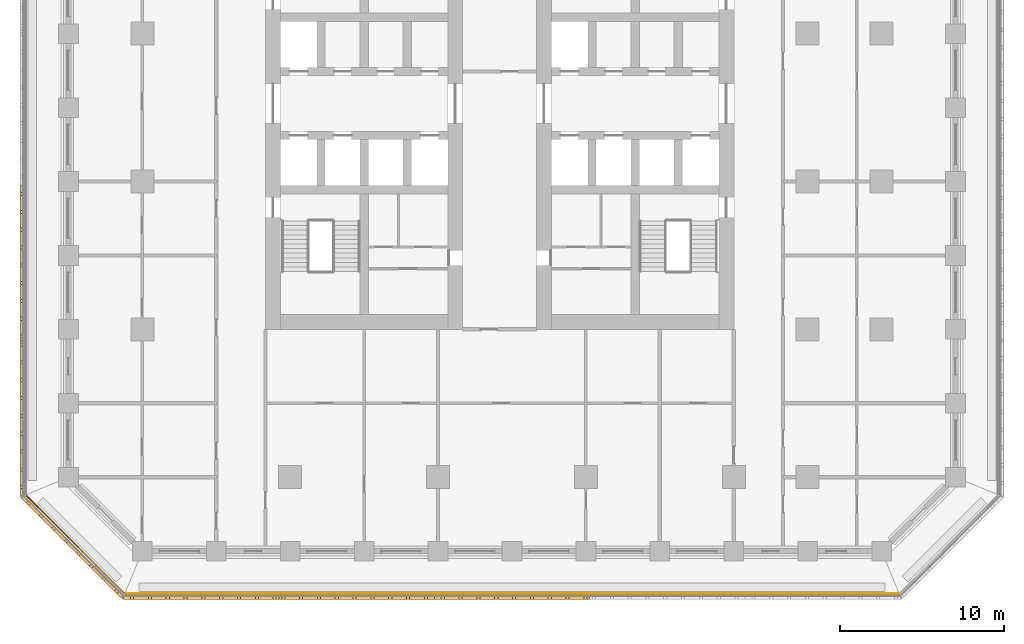
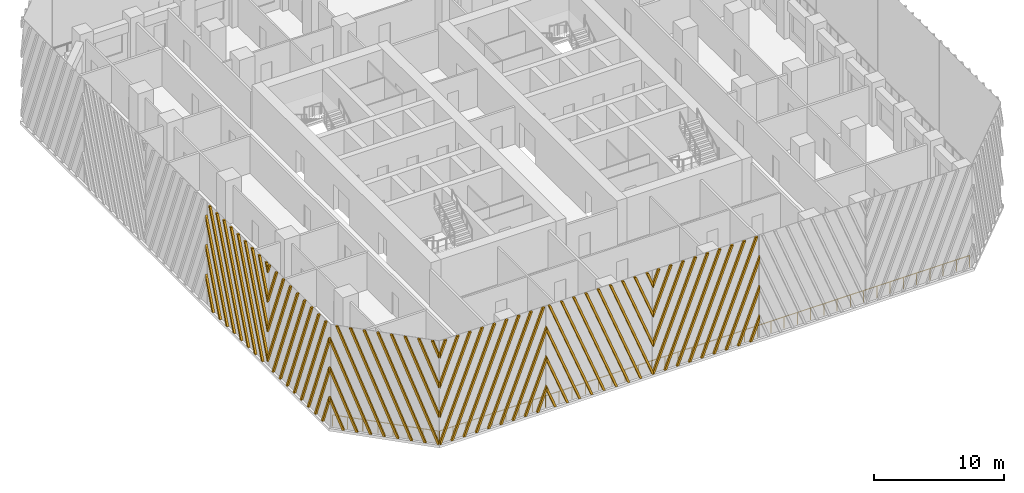
# One storey, part 11 of 20: 6 shading devices, 2 railings.
"""IFC4 building model written with IfcOpenShell, lengths in metres."""

from ifc_helpers import new_model, si_unit, direction, frame, origin, origin_2d, place, context, subcontext, project, spatial, polyline, circle, outline, extrude, source, transform, mapped, material, type_object, element, save


model = new_model("IFC4")

# Units and contexts
model_context = context("Model", 3, precision=1e-05, world=origin(), true_north=direction((0.0, 1.0)))
body_context = subcontext(model_context, "Body", "Model", "MODEL_VIEW")
ifc_project = project(units=[si_unit("LENGTHUNIT", "METRE"), si_unit("AREAUNIT", "SQUARE_METRE"), si_unit("VOLUMEUNIT", "CUBIC_METRE"), si_unit("PLANEANGLEUNIT", "RADIAN"), si_unit("MASSUNIT", "GRAM", prefix="KILO")], contexts=[model_context])

# Site, building, storey
site_placement = place(None, origin())
site = spatial("IfcSite", under=ifc_project, at=site_placement, CompositionType="ELEMENT")
building_placement = place(site_placement, origin())
building = spatial("IfcBuilding", under=site, at=building_placement, Name="Corbel Stack Research Tower", CompositionType="ELEMENT")
storey_placement = place(building_placement, frame((0.0, 0.0, 106.60009765625)))
storey = spatial("IfcBuildingStorey", under=building, at=storey_placement, Name="L24", CompositionType="ELEMENT", Elevation=106.60009765625)

# Railings
ifc_material_1 = material(Name="Powder-coated steel guard", Category="steel")
railing_type = type_object("IfcRailingType", Name="Steel and glass guard 1100", PredefinedType="GUARDRAIL", material=ifc_material_1)
railing_1_placement = place(storey_placement, frame((-19.00537109375, -25.10009765625, 0.0)))
element("IfcRailing", 1, at=railing_1_placement, inside=storey, type_object=railing_type, Name="Loggia guard L24 S", PredefinedType="GUARDRAIL", context=body_context, shape_type="SweptSolid", body=[
    extrude(circle(Radius=0.02392578125, at=origin_2d()), frame((0.0, 0.0, 1.076171875), z_axis=(1.0, 0.0, 0.0), x_axis=(0.0, 1.0, 0.0)), (0.0, 0.0, 1.0), 47.0107421875),
    extrude(circle(Radius=0.02099609375, at=origin_2d()), origin(), (0.0, 0.0, 1.0), 1.052001953125),
    extrude(circle(Radius=0.02099609375, at=origin_2d()), frame((1.17529296875, 0.0, 0.0)), (0.0, 0.0, 1.0), 1.052001953125),
    extrude(circle(Radius=0.02099609375, at=origin_2d()), frame((2.3505859375, 0.0, 0.0)), (0.0, 0.0, 1.0), 1.052001953125),
    extrude(circle(Radius=0.02099609375, at=origin_2d()), frame((3.52587890625, 0.0, 0.0)), (0.0, 0.0, 1.0), 1.052001953125),
    extrude(circle(Radius=0.02099609375, at=origin_2d()), frame((4.701171875, 0.0, 0.0)), (0.0, 0.0, 1.0), 1.052001953125),
    extrude(circle(Radius=0.02099609375, at=origin_2d()), frame((5.87646484375, 0.0, 0.0)), (0.0, 0.0, 1.0), 1.052001953125),
    extrude(circle(Radius=0.02099609375, at=origin_2d()), frame((7.051513671875, 0.0, 0.0)), (0.0, 0.0, 1.0), 1.052001953125),
    extrude(circle(Radius=0.02099609375, at=origin_2d()), frame((8.226806640625, 0.0, 0.0)), (0.0, 0.0, 1.0), 1.052001953125),
    extrude(circle(Radius=0.02099609375, at=origin_2d()), frame((9.402099609375, 0.0, 0.0)), (0.0, 0.0, 1.0), 1.052001953125),
    extrude(circle(Radius=0.02099609375, at=origin_2d()), frame((10.577392578125, 0.0, 0.0)), (0.0, 0.0, 1.0), 1.052001953125),
    extrude(circle(Radius=0.02099609375, at=origin_2d()), frame((11.752685546875, 0.0, 0.0)), (0.0, 0.0, 1.0), 1.052001953125),
    extrude(circle(Radius=0.02099609375, at=origin_2d()), frame((12.927978515625, 0.0, 0.0)), (0.0, 0.0, 1.0), 1.052001953125),
    extrude(circle(Radius=0.02099609375, at=origin_2d()), frame((14.103271484375, 0.0, 0.0)), (0.0, 0.0, 1.0), 1.052001953125),
    extrude(circle(Radius=0.02099609375, at=origin_2d()), frame((15.278564453125, 0.0, 0.0)), (0.0, 0.0, 1.0), 1.052001953125),
    extrude(circle(Radius=0.02099609375, at=origin_2d()), frame((16.453857421875, 0.0, 0.0)), (0.0, 0.0, 1.0), 1.052001953125),
    extrude(circle(Radius=0.02099609375, at=origin_2d()), frame((17.62890625, 0.0, 0.0)), (0.0, 0.0, 1.0), 1.052001953125),
    extrude(circle(Radius=0.02099609375, at=origin_2d()), frame((18.80419921875, 0.0, 0.0)), (0.0, 0.0, 1.0), 1.052001953125),
    extrude(circle(Radius=0.02099609375, at=origin_2d()), frame((19.9794921875, 0.0, 0.0)), (0.0, 0.0, 1.0), 1.052001953125),
    extrude(circle(Radius=0.02099609375, at=origin_2d()), frame((21.15478515625, 0.0, 0.0)), (0.0, 0.0, 1.0), 1.052001953125),
    extrude(circle(Radius=0.02099609375, at=origin_2d()), frame((22.330078125, 0.0, 0.0)), (0.0, 0.0, 1.0), 1.052001953125),
    extrude(circle(Radius=0.02099609375, at=origin_2d()), frame((23.50537109375, 0.0, 0.0)), (0.0, 0.0, 1.0), 1.052001953125),
    extrude(circle(Radius=0.02099609375, at=origin_2d()), frame((24.6806640625, 0.0, 0.0)), (0.0, 0.0, 1.0), 1.052001953125),
    extrude(circle(Radius=0.02099609375, at=origin_2d()), frame((25.85595703125, 0.0, 0.0)), (0.0, 0.0, 1.0), 1.052001953125),
    extrude(circle(Radius=0.02099609375, at=origin_2d()), frame((27.03125, 0.0, 0.0)), (0.0, 0.0, 1.0), 1.052001953125),
    extrude(circle(Radius=0.02099609375, at=origin_2d()), frame((28.20654296875, 0.0, 0.0)), (0.0, 0.0, 1.0), 1.052001953125),
    extrude(circle(Radius=0.02099609375, at=origin_2d()), frame((29.3818359375, 0.0, 0.0)), (0.0, 0.0, 1.0), 1.052001953125),
    extrude(circle(Radius=0.02099609375, at=origin_2d()), frame((30.556884765625, 0.0, 0.0)), (0.0, 0.0, 1.0), 1.052001953125),
    extrude(circle(Radius=0.02099609375, at=origin_2d()), frame((31.732177734375, 0.0, 0.0)), (0.0, 0.0, 1.0), 1.052001953125),
    extrude(circle(Radius=0.02099609375, at=origin_2d()), frame((32.907470703125, 0.0, 0.0)), (0.0, 0.0, 1.0), 1.052001953125),
    extrude(circle(Radius=0.02099609375, at=origin_2d()), frame((34.082763671875, 0.0, 0.0)), (0.0, 0.0, 1.0), 1.052001953125),
    extrude(circle(Radius=0.02099609375, at=origin_2d()), frame((35.258056640625, 0.0, 0.0)), (0.0, 0.0, 1.0), 1.052001953125),
    extrude(circle(Radius=0.02099609375, at=origin_2d()), frame((36.433349609375, 0.0, 0.0)), (0.0, 0.0, 1.0), 1.052001953125),
    extrude(circle(Radius=0.02099609375, at=origin_2d()), frame((37.608642578125, 0.0, 0.0)), (0.0, 0.0, 1.0), 1.052001953125),
    extrude(circle(Radius=0.02099609375, at=origin_2d()), frame((38.783935546875, 0.0, 0.0)), (0.0, 0.0, 1.0), 1.052001953125),
    extrude(circle(Radius=0.02099609375, at=origin_2d()), frame((39.959228515625, 0.0, 0.0)), (0.0, 0.0, 1.0), 1.052001953125),
    extrude(circle(Radius=0.02099609375, at=origin_2d()), frame((41.13427734375, 0.0, 0.0)), (0.0, 0.0, 1.0), 1.052001953125),
    extrude(circle(Radius=0.02099609375, at=origin_2d()), frame((42.3095703125, 0.0, 0.0)), (0.0, 0.0, 1.0), 1.052001953125),
    extrude(circle(Radius=0.02099609375, at=origin_2d()), frame((43.48486328125, 0.0, 0.0)), (0.0, 0.0, 1.0), 1.052001953125),
    extrude(circle(Radius=0.02099609375, at=origin_2d()), frame((44.66015625, 0.0, 0.0)), (0.0, 0.0, 1.0), 1.052001953125),
    extrude(circle(Radius=0.02099609375, at=origin_2d()), frame((45.83544921875, 0.0, 0.0)), (0.0, 0.0, 1.0), 1.052001953125),
    extrude(circle(Radius=0.02099609375, at=origin_2d()), frame((47.0107421875, 0.0, 0.0)), (0.0, 0.0, 1.0), 1.052001953125),
])
railing_2_placement = place(storey_placement, frame((-25.04931640625, -19.127685546875, 0.0)))
element("IfcRailing", 2, at=railing_2_placement, inside=storey, type_object=railing_type, Name="Loggia guard L24 SW", PredefinedType="GUARDRAIL", context=body_context, shape_type="SweptSolid", body=[
    extrude(circle(Radius=0.02392578125, at=origin_2d()), frame((0.0, 0.0, 1.076171875), z_axis=(0.707106781187, -0.707106781187, 0.0), x_axis=(0.707106781187, 0.707106781187, 0.0)), (0.0, 0.0, 1.0), 8.37451171875),
    extrude(circle(Radius=0.02099609375, at=origin_2d()), origin(), (0.0, 0.0, 1.0), 1.052001953125),
    extrude(circle(Radius=0.02099609375, at=origin_2d()), frame((0.845947265625, -0.845947265625, 0.0)), (0.0, 0.0, 1.0), 1.052001953125),
    extrude(circle(Radius=0.02099609375, at=origin_2d()), frame((1.69189453125, -1.69189453125, 0.0)), (0.0, 0.0, 1.0), 1.052001953125),
    extrude(circle(Radius=0.02099609375, at=origin_2d()), frame((2.537841796875, -2.537841796875, 0.0)), (0.0, 0.0, 1.0), 1.052001953125),
    extrude(circle(Radius=0.02099609375, at=origin_2d()), frame((3.3837890625, -3.3837890625, 0.0)), (0.0, 0.0, 1.0), 1.052001953125),
    extrude(circle(Radius=0.02099609375, at=origin_2d()), frame((4.229736328125, -4.229736328125, 0.0)), (0.0, 0.0, 1.0), 1.052001953125),
    extrude(circle(Radius=0.02099609375, at=origin_2d()), frame((5.07568359375, -5.07568359375, 0.0)), (0.0, 0.0, 1.0), 1.052001953125),
    extrude(circle(Radius=0.02099609375, at=origin_2d()), frame((5.921630859375, -5.921630859375, 0.0)), (0.0, 0.0, 1.0), 1.052001953125),
])

# Shading devices
ifc_material_2 = material(Name="Precast terracotta", Category="masonry")
shading_device_type = type_object("IfcShadingDeviceType", Name="Terracotta screen panel", PredefinedType="USERDEFINED", material=ifc_material_2)
shared_shape_1 = source(origin(), body_context, "Body", "SweptSolid", [
    extrude(outline(polyline([(0.60986328125, 9.64990234375), (0.419921875, 9.64990234375), (0.0, 8.5751953125), (0.0, 8.088623046875), (0.60986328125, 9.64990234375)])), frame((0.0, 0.0, 0.0), z_axis=(0.0, -1.0, 0.0), x_axis=(1.0, 0.0, 0.0)), (0.0, 0.0, 1.0), 0.179931640625),
    extrude(outline(polyline([(1.694580078125, 9.64990234375), (1.50439453125, 9.64990234375), (0.0, 5.7978515625), (0.0, 5.311279296875), (1.694580078125, 9.64990234375)])), frame((0.0, 0.0, 0.0), z_axis=(0.0, -1.0, 0.0), x_axis=(1.0, 0.0, 0.0)), (0.0, 0.0, 1.0), 0.179931640625),
    extrude(outline(polyline([(2.779052734375, 9.64990234375), (2.589111328125, 9.64990234375), (0.0, 3.0205078125), (0.0, 2.533935546875), (2.779052734375, 9.64990234375)])), frame((0.0, 0.0, 0.0), z_axis=(0.0, -1.0, 0.0), x_axis=(1.0, 0.0, 0.0)), (0.0, 0.0, 1.0), 0.179931640625),
    extrude(outline(polyline([(0.094970703125, 0.0), (3.86376953125, 9.64990234375), (3.673828125, 9.64990234375), (0.0, 0.2431640625), (0.0, 0.0), (0.094970703125, 0.0)])), frame((0.0, 0.0, 0.0), z_axis=(0.0, -1.0, 0.0), x_axis=(1.0, 0.0, 0.0)), (0.0, 0.0, 1.0), 0.179931640625),
    extrude(outline(polyline([(1.1796875, 0.0), (4.948486328125, 9.64990234375), (4.75830078125, 9.64990234375), (0.98974609375, 0.0), (1.1796875, 0.0)])), frame((0.0, 0.0, 0.0), z_axis=(0.0, -1.0, 0.0), x_axis=(1.0, 0.0, 0.0)), (0.0, 0.0, 1.0), 0.179931640625),
    extrude(outline(polyline([(2.264404296875, 0.0), (6.033203125, 9.64990234375), (5.843017578125, 9.64990234375), (2.07421875, 0.0), (2.264404296875, 0.0)])), frame((0.0, 0.0, 0.0), z_axis=(0.0, -1.0, 0.0), x_axis=(1.0, 0.0, 0.0)), (0.0, 0.0, 1.0), 0.179931640625),
    extrude(outline(polyline([(3.34912109375, 0.0), (7.117919921875, 9.64990234375), (6.927734375, 9.64990234375), (3.158935546875, 0.0), (3.34912109375, 0.0)])), frame((0.0, 0.0, 0.0), z_axis=(0.0, -1.0, 0.0), x_axis=(1.0, 0.0, 0.0)), (0.0, 0.0, 1.0), 0.179931640625),
    extrude(outline(polyline([(4.43359375, 0.0), (8.202392578125, 9.64990234375), (8.012451171875, 9.64990234375), (4.24365234375, 0.0), (4.43359375, 0.0)])), frame((0.0, 0.0, 0.0), z_axis=(0.0, -1.0, 0.0), x_axis=(1.0, 0.0, 0.0)), (0.0, 0.0, 1.0), 0.179931640625),
    extrude(outline(polyline([(5.518310546875, 0.0), (9.287109375, 9.64990234375), (9.09716796875, 9.64990234375), (5.328369140625, 0.0), (5.518310546875, 0.0)])), frame((0.0, 0.0, 0.0), z_axis=(0.0, -1.0, 0.0), x_axis=(1.0, 0.0, 0.0)), (0.0, 0.0, 1.0), 0.179931640625),
    extrude(outline(polyline([(6.60302734375, 0.0), (9.45556640625, 7.30419921875), (9.45556640625, 7.790771484375), (6.4130859375, 0.0), (6.60302734375, 0.0)])), frame((0.0, 0.0, 0.0), z_axis=(0.0, -1.0, 0.0), x_axis=(1.0, 0.0, 0.0)), (0.0, 0.0, 1.0), 0.179931640625),
    extrude(outline(polyline([(7.687744140625, 0.0), (9.45556640625, 4.52685546875), (9.45556640625, 5.013427734375), (7.497802734375, 0.0), (7.687744140625, 0.0)])), frame((0.0, 0.0, 0.0), z_axis=(0.0, -1.0, 0.0), x_axis=(1.0, 0.0, 0.0)), (0.0, 0.0, 1.0), 0.179931640625),
    extrude(outline(polyline([(8.772216796875, 0.0), (9.45556640625, 1.74951171875), (9.45556640625, 2.236083984375), (8.582275390625, 0.0), (8.772216796875, 0.0)])), frame((0.0, 0.0, 0.0), z_axis=(0.0, -1.0, 0.0), x_axis=(1.0, 0.0, 0.0)), (0.0, 0.0, 1.0), 0.179931640625),
])
for number, where, z_axis, x_axis, name in (
    (3, (-19.13916015625, -25.25, 0.0), (0.0, 0.0, 1.0), (1.0, 0.0, 0.0), "Terracotta screen L24 S1"),
    (4, (-0.227783203125, -25.25, 0.0), (0.0, 0.0, 1.0), (1.0, 0.0, 0.0), "Terracotta screen L24 S3"),
):
    element("IfcShadingDevice", number, at=place(storey_placement, frame(where, z_axis=z_axis, x_axis=x_axis)), inside=storey, type_object=shading_device_type, Name=name, ObjectType="SCREEN", PredefinedType="USERDEFINED", context=body_context, shape_type="MappedRepresentation", body=[
        mapped(shared_shape_1, transform((0.0, 0.0, 0.0))),
    ])
shared_shape_2 = source(origin(), body_context, "Body", "SweptSolid", [
    extrude(outline(polyline([(0.873291015625, 0.0), (0.0, 2.236083984375), (0.0, 1.74951171875), (0.683349609375, 0.0), (0.873291015625, 0.0)])), frame((0.0, 0.0, 0.0), z_axis=(0.0, -1.0, 0.0), x_axis=(1.0, 0.0, 0.0)), (0.0, 0.0, 1.0), 0.179931640625),
    extrude(outline(polyline([(1.9580078125, 0.0), (0.0, 5.013427734375), (0.0, 4.52685546875), (1.76806640625, 0.0), (1.9580078125, 0.0)])), frame((0.0, 0.0, 0.0), z_axis=(0.0, -1.0, 0.0), x_axis=(1.0, 0.0, 0.0)), (0.0, 0.0, 1.0), 0.179931640625),
    extrude(outline(polyline([(3.04248046875, 0.0), (0.0, 7.790771484375), (0.0, 7.30419921875), (2.8525390625, 0.0), (3.04248046875, 0.0)])), frame((0.0, 0.0, 0.0), z_axis=(0.0, -1.0, 0.0), x_axis=(1.0, 0.0, 0.0)), (0.0, 0.0, 1.0), 0.179931640625),
    extrude(outline(polyline([(4.127197265625, 0.0), (0.3583984375, 9.64990234375), (0.16845703125, 9.64990234375), (3.937255859375, 0.0), (4.127197265625, 0.0)])), frame((0.0, 0.0, 0.0), z_axis=(0.0, -1.0, 0.0), x_axis=(1.0, 0.0, 0.0)), (0.0, 0.0, 1.0), 0.179931640625),
    extrude(outline(polyline([(5.2119140625, 0.0), (1.443115234375, 9.64990234375), (1.253173828125, 9.64990234375), (5.02197265625, 0.0), (5.2119140625, 0.0)])), frame((0.0, 0.0, 0.0), z_axis=(0.0, -1.0, 0.0), x_axis=(1.0, 0.0, 0.0)), (0.0, 0.0, 1.0), 0.179931640625),
    extrude(outline(polyline([(6.296630859375, 0.0), (2.52783203125, 9.64990234375), (2.337890625, 9.64990234375), (6.106689453125, 0.0), (6.296630859375, 0.0)])), frame((0.0, 0.0, 0.0), z_axis=(0.0, -1.0, 0.0), x_axis=(1.0, 0.0, 0.0)), (0.0, 0.0, 1.0), 0.179931640625),
    extrude(outline(polyline([(7.38134765625, 0.0), (3.612548828125, 9.64990234375), (3.422607421875, 9.64990234375), (7.19140625, 0.0), (7.38134765625, 0.0)])), frame((0.0, 0.0, 0.0), z_axis=(0.0, -1.0, 0.0), x_axis=(1.0, 0.0, 0.0)), (0.0, 0.0, 1.0), 0.179931640625),
    extrude(outline(polyline([(8.466064453125, 0.0), (4.697265625, 9.64990234375), (4.507080078125, 9.64990234375), (8.27587890625, 0.0), (8.466064453125, 0.0)])), frame((0.0, 0.0, 0.0), z_axis=(0.0, -1.0, 0.0), x_axis=(1.0, 0.0, 0.0)), (0.0, 0.0, 1.0), 0.179931640625),
    extrude(outline(polyline([(9.45556640625, 0.0), (9.45556640625, 0.2431640625), (5.781982421875, 9.64990234375), (5.591796875, 9.64990234375), (9.360595703125, 0.0), (9.45556640625, 0.0)])), frame((0.0, 0.0, 0.0), z_axis=(0.0, -1.0, 0.0), x_axis=(1.0, 0.0, 0.0)), (0.0, 0.0, 1.0), 0.179931640625),
    extrude(outline(polyline([(6.866455078125, 9.64990234375), (6.676513671875, 9.64990234375), (9.45556640625, 2.533935546875), (9.45556640625, 3.0205078125), (6.866455078125, 9.64990234375)])), frame((0.0, 0.0, 0.0), z_axis=(0.0, -1.0, 0.0), x_axis=(1.0, 0.0, 0.0)), (0.0, 0.0, 1.0), 0.179931640625),
    extrude(outline(polyline([(7.951171875, 9.64990234375), (7.76123046875, 9.64990234375), (9.45556640625, 5.311279296875), (9.45556640625, 5.7978515625), (7.951171875, 9.64990234375)])), frame((0.0, 0.0, 0.0), z_axis=(0.0, -1.0, 0.0), x_axis=(1.0, 0.0, 0.0)), (0.0, 0.0, 1.0), 0.179931640625),
    extrude(outline(polyline([(9.035888671875, 9.64990234375), (8.845947265625, 9.64990234375), (9.45556640625, 8.088623046875), (9.45556640625, 8.5751953125), (9.035888671875, 9.64990234375)])), frame((0.0, 0.0, 0.0), z_axis=(0.0, -1.0, 0.0), x_axis=(1.0, 0.0, 0.0)), (0.0, 0.0, 1.0), 0.179931640625),
])
shading_device_1_placement = place(storey_placement, frame((-9.68359375, -25.25, 0.0), z_axis=(0.0, 0.0, 1.0), x_axis=(1.0, 0.0, 0.0)))
element("IfcShadingDevice", 5, at=shading_device_1_placement, inside=storey, type_object=shading_device_type, Name="Terracotta screen L24 S2", ObjectType="SCREEN", PredefinedType="USERDEFINED", context=body_context, shape_type="MappedRepresentation", body=[
    mapped(shared_shape_2, transform((0.0, 0.0, 0.0))),
])
shared_shape_3 = source(origin(), body_context, "Body", "SweptSolid", [
    extrude(outline(polyline([(0.338623046875, 9.64990234375), (0.148681640625, 9.64990234375), (0.0, 9.26953125), (0.0, 8.782958984375), (0.338623046875, 9.64990234375)])), frame((0.0, 0.0, 0.0), z_axis=(0.0, -1.0, 0.0), x_axis=(1.0, 0.0, 0.0)), (0.0, 0.0, 1.0), 0.179931640625),
    extrude(outline(polyline([(1.42333984375, 9.64990234375), (1.2333984375, 9.64990234375), (0.0, 6.4921875), (0.0, 6.005615234375), (1.42333984375, 9.64990234375)])), frame((0.0, 0.0, 0.0), z_axis=(0.0, -1.0, 0.0), x_axis=(1.0, 0.0, 0.0)), (0.0, 0.0, 1.0), 0.179931640625),
    extrude(outline(polyline([(2.5078125, 9.64990234375), (2.31787109375, 9.64990234375), (0.0, 3.71484375), (0.0, 3.228515625), (2.5078125, 9.64990234375)])), frame((0.0, 0.0, 0.0), z_axis=(0.0, -1.0, 0.0), x_axis=(1.0, 0.0, 0.0)), (0.0, 0.0, 1.0), 0.179931640625),
    extrude(outline(polyline([(3.592529296875, 9.64990234375), (3.402587890625, 9.64990234375), (0.0, 0.9375), (0.0, 0.451171875), (3.592529296875, 9.64990234375)])), frame((0.0, 0.0, 0.0), z_axis=(0.0, -1.0, 0.0), x_axis=(1.0, 0.0, 0.0)), (0.0, 0.0, 1.0), 0.179931640625),
    extrude(outline(polyline([(0.908447265625, 0.0), (4.67724609375, 9.64990234375), (4.4873046875, 9.64990234375), (0.718505859375, 0.0), (0.908447265625, 0.0)])), frame((0.0, 0.0, 0.0), z_axis=(0.0, -1.0, 0.0), x_axis=(1.0, 0.0, 0.0)), (0.0, 0.0, 1.0), 0.179931640625),
    extrude(outline(polyline([(1.9931640625, 0.0), (5.761962890625, 9.64990234375), (5.572021484375, 9.64990234375), (1.80322265625, 0.0), (1.9931640625, 0.0)])), frame((0.0, 0.0, 0.0), z_axis=(0.0, -1.0, 0.0), x_axis=(1.0, 0.0, 0.0)), (0.0, 0.0, 1.0), 0.179931640625),
    extrude(outline(polyline([(3.077880859375, 0.0), (6.8466796875, 9.64990234375), (6.656494140625, 9.64990234375), (2.8876953125, 0.0), (3.077880859375, 0.0)])), frame((0.0, 0.0, 0.0), z_axis=(0.0, -1.0, 0.0), x_axis=(1.0, 0.0, 0.0)), (0.0, 0.0, 1.0), 0.179931640625),
    extrude(outline(polyline([(4.16259765625, 0.0), (7.931396484375, 9.64990234375), (7.7412109375, 9.64990234375), (3.972412109375, 0.0), (4.16259765625, 0.0)])), frame((0.0, 0.0, 0.0), z_axis=(0.0, -1.0, 0.0), x_axis=(1.0, 0.0, 0.0)), (0.0, 0.0, 1.0), 0.179931640625),
    extrude(outline(polyline([(5.247314453125, 0.0), (9.015869140625, 9.64990234375), (8.825927734375, 9.64990234375), (5.05712890625, 0.0), (5.247314453125, 0.0)])), frame((0.0, 0.0, 0.0), z_axis=(0.0, -1.0, 0.0), x_axis=(1.0, 0.0, 0.0)), (0.0, 0.0, 1.0), 0.179931640625),
    extrude(outline(polyline([(6.331787109375, 0.0), (9.45556640625, 7.99853515625), (9.45556640625, 8.485107421875), (6.141845703125, 0.0), (6.331787109375, 0.0)])), frame((0.0, 0.0, 0.0), z_axis=(0.0, -1.0, 0.0), x_axis=(1.0, 0.0, 0.0)), (0.0, 0.0, 1.0), 0.179931640625),
    extrude(outline(polyline([(7.41650390625, 0.0), (9.45556640625, 5.22119140625), (9.45556640625, 5.707763671875), (7.2265625, 0.0), (7.41650390625, 0.0)])), frame((0.0, 0.0, 0.0), z_axis=(0.0, -1.0, 0.0), x_axis=(1.0, 0.0, 0.0)), (0.0, 0.0, 1.0), 0.179931640625),
    extrude(outline(polyline([(8.501220703125, 0.0), (9.45556640625, 2.44384765625), (9.45556640625, 2.930419921875), (8.311279296875, 0.0), (8.501220703125, 0.0)])), frame((0.0, 0.0, 0.0), z_axis=(0.0, -1.0, 0.0), x_axis=(1.0, 0.0, 0.0)), (0.0, 0.0, 1.0), 0.179931640625),
])
shading_device_2_placement = place(storey_placement, frame((-25.25, -9.68359375, 0.0), z_axis=(0.0, 0.0, 1.0), x_axis=(0.0, -1.0, 0.0)))
element("IfcShadingDevice", 6, at=shading_device_2_placement, inside=storey, type_object=shading_device_type, Name="Terracotta screen L24 W5", ObjectType="SCREEN", PredefinedType="USERDEFINED", context=body_context, shape_type="MappedRepresentation", body=[
    mapped(shared_shape_3, transform((0.0, 0.0, 0.0))),
])
shared_shape_4 = source(origin(), body_context, "Body", "SweptSolid", [
    extrude(outline(polyline([(1.14453125, 0.0), (0.0, 2.930419921875), (0.0, 2.44384765625), (0.95458984375, 0.0), (1.14453125, 0.0)])), frame((0.0, 0.0, 0.0), z_axis=(0.0, -1.0, 0.0), x_axis=(1.0, 0.0, 0.0)), (0.0, 0.0, 1.0), 0.179931640625),
    extrude(outline(polyline([(2.22900390625, 0.0), (0.0, 5.707763671875), (0.0, 5.22119140625), (2.0390625, 0.0), (2.22900390625, 0.0)])), frame((0.0, 0.0, 0.0), z_axis=(0.0, -1.0, 0.0), x_axis=(1.0, 0.0, 0.0)), (0.0, 0.0, 1.0), 0.179931640625),
    extrude(outline(polyline([(3.313720703125, 0.0), (0.0, 8.485107421875), (0.0, 7.99853515625), (3.123779296875, 0.0), (3.313720703125, 0.0)])), frame((0.0, 0.0, 0.0), z_axis=(0.0, -1.0, 0.0), x_axis=(1.0, 0.0, 0.0)), (0.0, 0.0, 1.0), 0.179931640625),
    extrude(outline(polyline([(4.3984375, 0.0), (0.629638671875, 9.64990234375), (0.439697265625, 9.64990234375), (4.20849609375, 0.0), (4.3984375, 0.0)])), frame((0.0, 0.0, 0.0), z_axis=(0.0, -1.0, 0.0), x_axis=(1.0, 0.0, 0.0)), (0.0, 0.0, 1.0), 0.179931640625),
    extrude(outline(polyline([(5.483154296875, 0.0), (1.71435546875, 9.64990234375), (1.5244140625, 9.64990234375), (5.293212890625, 0.0), (5.483154296875, 0.0)])), frame((0.0, 0.0, 0.0), z_axis=(0.0, -1.0, 0.0), x_axis=(1.0, 0.0, 0.0)), (0.0, 0.0, 1.0), 0.179931640625),
    extrude(outline(polyline([(6.56787109375, 0.0), (2.799072265625, 9.64990234375), (2.60888671875, 9.64990234375), (6.377685546875, 0.0), (6.56787109375, 0.0)])), frame((0.0, 0.0, 0.0), z_axis=(0.0, -1.0, 0.0), x_axis=(1.0, 0.0, 0.0)), (0.0, 0.0, 1.0), 0.179931640625),
    extrude(outline(polyline([(7.652587890625, 0.0), (3.8837890625, 9.64990234375), (3.693603515625, 9.64990234375), (7.46240234375, 0.0), (7.652587890625, 0.0)])), frame((0.0, 0.0, 0.0), z_axis=(0.0, -1.0, 0.0), x_axis=(1.0, 0.0, 0.0)), (0.0, 0.0, 1.0), 0.179931640625),
    extrude(outline(polyline([(8.737060546875, 0.0), (4.968505859375, 9.64990234375), (4.7783203125, 9.64990234375), (8.547119140625, 0.0), (8.737060546875, 0.0)])), frame((0.0, 0.0, 0.0), z_axis=(0.0, -1.0, 0.0), x_axis=(1.0, 0.0, 0.0)), (0.0, 0.0, 1.0), 0.179931640625),
    extrude(outline(polyline([(6.052978515625, 9.64990234375), (5.863037109375, 9.64990234375), (9.45556640625, 0.451171875), (9.45556640625, 0.9375), (6.052978515625, 9.64990234375)])), frame((0.0, 0.0, 0.0), z_axis=(0.0, -1.0, 0.0), x_axis=(1.0, 0.0, 0.0)), (0.0, 0.0, 1.0), 0.179931640625),
    extrude(outline(polyline([(7.1376953125, 9.64990234375), (6.94775390625, 9.64990234375), (9.45556640625, 3.228515625), (9.45556640625, 3.71484375), (7.1376953125, 9.64990234375)])), frame((0.0, 0.0, 0.0), z_axis=(0.0, -1.0, 0.0), x_axis=(1.0, 0.0, 0.0)), (0.0, 0.0, 1.0), 0.179931640625),
    extrude(outline(polyline([(8.222412109375, 9.64990234375), (8.032470703125, 9.64990234375), (9.45556640625, 6.005615234375), (9.45556640625, 6.4921875), (8.222412109375, 9.64990234375)])), frame((0.0, 0.0, 0.0), z_axis=(0.0, -1.0, 0.0), x_axis=(1.0, 0.0, 0.0)), (0.0, 0.0, 1.0), 0.179931640625),
    extrude(outline(polyline([(9.306884765625, 9.64990234375), (9.116943359375, 9.64990234375), (9.45556640625, 8.782958984375), (9.45556640625, 9.26953125), (9.306884765625, 9.64990234375)])), frame((0.0, 0.0, 0.0), z_axis=(0.0, -1.0, 0.0), x_axis=(1.0, 0.0, 0.0)), (0.0, 0.0, 1.0), 0.179931640625),
])
shading_device_3_placement = place(storey_placement, frame((-25.25, -0.227783203125, 0.0), z_axis=(0.0, 0.0, 1.0), x_axis=(0.0, -1.0, 0.0)))
element("IfcShadingDevice", 7, at=shading_device_3_placement, inside=storey, type_object=shading_device_type, Name="Terracotta screen L24 W4", ObjectType="SCREEN", PredefinedType="USERDEFINED", context=body_context, shape_type="MappedRepresentation", body=[
    mapped(shared_shape_4, transform((0.0, 0.0, 0.0))),
])
shared_shape_5 = source(origin(), body_context, "Body", "SweptSolid", [
    extrude(outline(polyline([(1.14453125, 0.0), (0.0, 2.930419921875), (0.0, 2.44384765625), (0.95458984375, 0.0), (1.14453125, 0.0)])), frame((0.0, 0.0, 0.0), z_axis=(0.0, -1.0, 0.0), x_axis=(1.0, 0.0, 0.0)), (0.0, 0.0, 1.0), 0.179931640625),
    extrude(outline(polyline([(2.22900390625, 0.0), (0.0, 5.707763671875), (0.0, 5.22119140625), (2.0390625, 0.0), (2.22900390625, 0.0)])), frame((0.0, 0.0, 0.0), z_axis=(0.0, -1.0, 0.0), x_axis=(1.0, 0.0, 0.0)), (0.0, 0.0, 1.0), 0.179931640625),
    extrude(outline(polyline([(3.313720703125, 0.0), (0.0, 8.485107421875), (0.0, 7.99853515625), (3.123779296875, 0.0), (3.313720703125, 0.0)])), frame((0.0, 0.0, 0.0), z_axis=(0.0, -1.0, 0.0), x_axis=(1.0, 0.0, 0.0)), (0.0, 0.0, 1.0), 0.179931640625),
    extrude(outline(polyline([(4.3984375, 0.0), (0.629638671875, 9.64990234375), (0.439697265625, 9.64990234375), (4.20849609375, 0.0), (4.3984375, 0.0)])), frame((0.0, 0.0, 0.0), z_axis=(0.0, -1.0, 0.0), x_axis=(1.0, 0.0, 0.0)), (0.0, 0.0, 1.0), 0.179931640625),
    extrude(outline(polyline([(5.483154296875, 0.0), (1.71435546875, 9.64990234375), (1.5244140625, 9.64990234375), (5.293212890625, 0.0), (5.483154296875, 0.0)])), frame((0.0, 0.0, 0.0), z_axis=(0.0, -1.0, 0.0), x_axis=(1.0, 0.0, 0.0)), (0.0, 0.0, 1.0), 0.179931640625),
    extrude(outline(polyline([(6.56787109375, 0.0), (2.799072265625, 9.64990234375), (2.60888671875, 9.64990234375), (6.377685546875, 0.0), (6.56787109375, 0.0)])), frame((0.0, 0.0, 0.0), z_axis=(0.0, -1.0, 0.0), x_axis=(1.0, 0.0, 0.0)), (0.0, 0.0, 1.0), 0.179931640625),
    extrude(outline(polyline([(7.652587890625, 0.0), (3.8837890625, 9.64990234375), (3.693603515625, 9.64990234375), (7.46240234375, 0.0), (7.652587890625, 0.0)])), frame((0.0, 0.0, 0.0), z_axis=(0.0, -1.0, 0.0), x_axis=(1.0, 0.0, 0.0)), (0.0, 0.0, 1.0), 0.179931640625),
    extrude(outline(polyline([(8.64208984375, 0.0), (8.64208984375, 0.2431640625), (4.968505859375, 9.64990234375), (4.7783203125, 9.64990234375), (8.547119140625, 0.0), (8.64208984375, 0.0)])), frame((0.0, 0.0, 0.0), z_axis=(0.0, -1.0, 0.0), x_axis=(1.0, 0.0, 0.0)), (0.0, 0.0, 1.0), 0.179931640625),
    extrude(outline(polyline([(6.052978515625, 9.64990234375), (5.863037109375, 9.64990234375), (8.64208984375, 2.533935546875), (8.64208984375, 3.0205078125), (6.052978515625, 9.64990234375)])), frame((0.0, 0.0, 0.0), z_axis=(0.0, -1.0, 0.0), x_axis=(1.0, 0.0, 0.0)), (0.0, 0.0, 1.0), 0.179931640625),
    extrude(outline(polyline([(7.1376953125, 9.64990234375), (6.94775390625, 9.64990234375), (8.64208984375, 5.311279296875), (8.64208984375, 5.7978515625), (7.1376953125, 9.64990234375)])), frame((0.0, 0.0, 0.0), z_axis=(0.0, -1.0, 0.0), x_axis=(1.0, 0.0, 0.0)), (0.0, 0.0, 1.0), 0.179931640625),
    extrude(outline(polyline([(8.222412109375, 9.64990234375), (8.032470703125, 9.64990234375), (8.64208984375, 8.088623046875), (8.64208984375, 8.5751953125), (8.222412109375, 9.64990234375)])), frame((0.0, 0.0, 0.0), z_axis=(0.0, -1.0, 0.0), x_axis=(1.0, 0.0, 0.0)), (0.0, 0.0, 1.0), 0.179931640625),
])
shading_device_4_placement = place(storey_placement, frame((-25.25, -19.13916015625, 0.0), z_axis=(0.0, 0.0, 1.0), x_axis=(0.707106781187, -0.707106781187, 0.0)))
element("IfcShadingDevice", 8, at=shading_device_4_placement, inside=storey, type_object=shading_device_type, Name="Terracotta screen L24 SW1", ObjectType="SCREEN", PredefinedType="USERDEFINED", context=body_context, shape_type="MappedRepresentation", body=[
    mapped(shared_shape_5, transform((0.0, 0.0, 0.0))),
])

save(model, "model.ifc")
